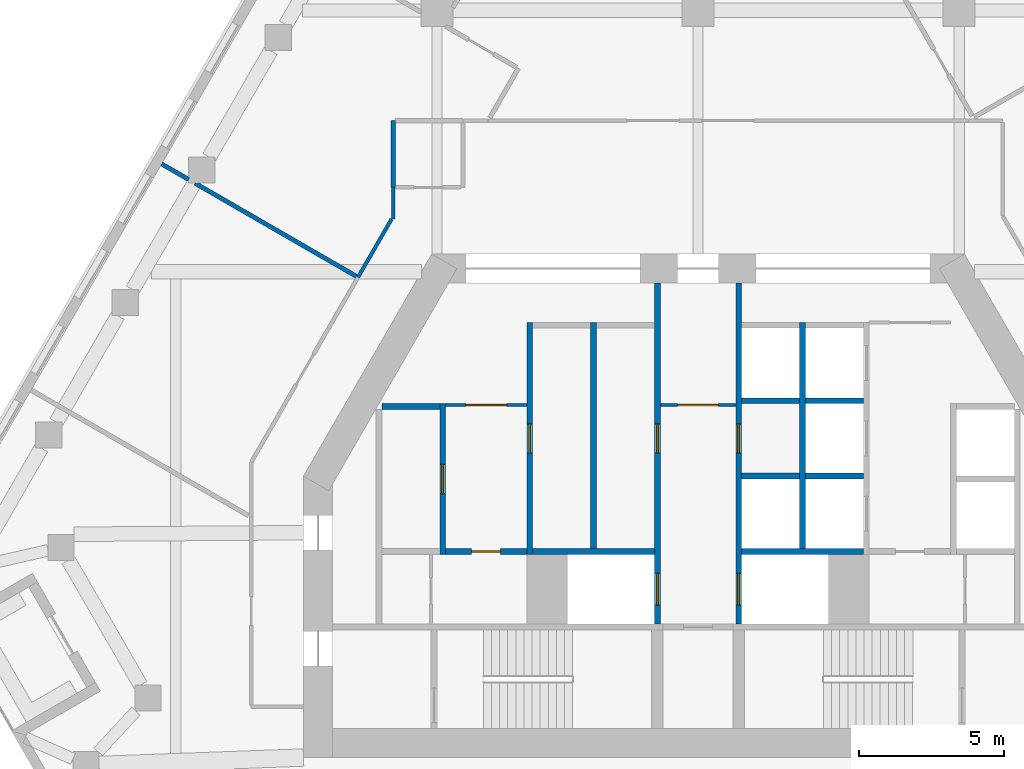
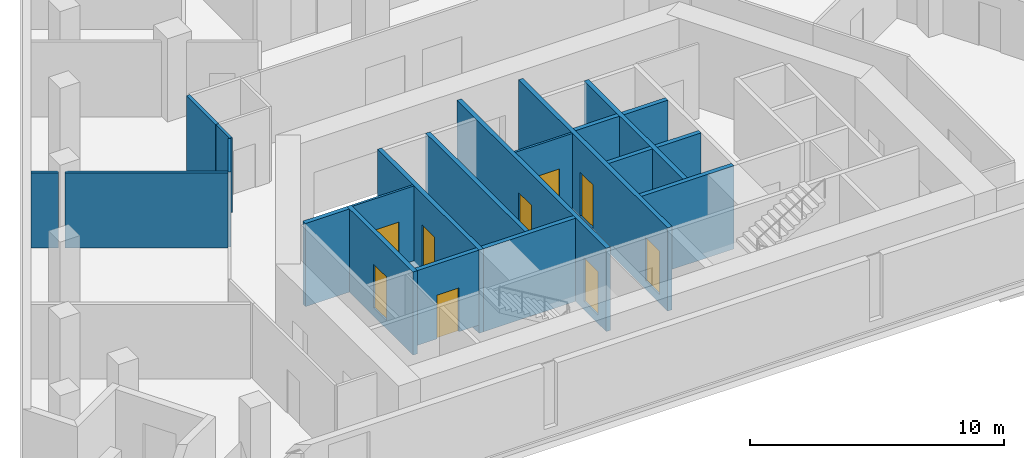
# One storey, part 3 of 8: 21 walls, 9 doors, 9 openings.
"""IFC4 building model written with IfcOpenShell, lengths in metres."""

from ifc_helpers import new_model, si_unit, direction, frame, frame_2d, origin, place, context, subcontext, project, spatial, rectangle, extrude, material, layer, layer_set, type_object, element, fill, save


model = new_model("IFC4")

# Units and contexts
model_context = context("Model", 3, precision=1e-05, world=origin(), true_north=direction((0.0, 1.0)))
body_context = subcontext(model_context, "Body", "Model", "MODEL_VIEW")
ifc_project = project(units=[si_unit("LENGTHUNIT", "METRE"), si_unit("AREAUNIT", "SQUARE_METRE"), si_unit("VOLUMEUNIT", "CUBIC_METRE"), si_unit("PLANEANGLEUNIT", "RADIAN"), si_unit("MASSUNIT", "GRAM", prefix="KILO")], contexts=[model_context])

# Site, building, storey
site_placement = place(None, origin())
site = spatial("IfcSite", under=ifc_project, at=site_placement, CompositionType="ELEMENT")
building_placement = place(site_placement, origin())
building = spatial("IfcBuilding", under=site, at=building_placement, Name="Fogline Exchange Tower", CompositionType="ELEMENT")
storey_placement = place(building_placement, frame((0.0, 0.0, 227.5)))
storey = spatial("IfcBuildingStorey", under=building, at=storey_placement, Name="L51", CompositionType="ELEMENT", Elevation=227.5)

# Wall, opening, door
ifc_material_1 = material(Name="Blockwork partition", Category="masonry")
ifc_layer_1 = layer(ifc_material_1, 0.10009765625)
ifc_layer_set_1 = layer_set([ifc_layer_1], Name="CW10")
wall_type_1 = type_object("IfcWallType", Name="CW10", PredefinedType="PARTITIONING", material=ifc_layer_set_1)
wall_1_placement = place(storey_placement, frame((-8.699951171875, 13.39990234375, 0.0), z_axis=(0.0, 0.0, 1.0), x_axis=(1.0, 0.0, 0.0)))
wall_1 = element("IfcWall", 1, at=wall_1_placement, inside=storey, type_object=wall_type_1, Name="Lift lobby partition", PredefinedType="PARTITIONING", context=body_context, shape_type="SweptSolid", body=[
    extrude(rectangle(XDim=2.800048828125, YDim=0.10009765625, at=frame_2d((1.39990234375, 0.0))), origin(), (0.0, 0.0, 1.0), 3.60009765625),
])
opening_1_placement = place(wall_1_placement, frame((0.699951171875, 0.0, 0.0)))
opening_1 = element("IfcOpeningElement", 2, at=opening_1_placement, cuts=wall_1, Name="Opening T16-C006", PredefinedType="OPENING", context=body_context, shape_type="SweptSolid", body=[
    extrude(rectangle(XDim=1.39990234375, YDim=2.10009765625, at=frame_2d((0.699951171875, 1.050048828125))), frame((0.0, 0.06005859375, 0.0), z_axis=(0.0, -1.0, 0.0), x_axis=(1.0, 0.0, 0.0)), (0.0, 0.0, 1.0), 0.1201171875),
])
ifc_material_2 = material(Name="Steel and timber fire door", Category="steel")
door_type_1 = type_object("IfcDoorType", Name="D-LB1", OperationType="DOUBLE_DOOR_SINGLE_SWING", PredefinedType="DOOR", material=ifc_material_2)
door_1_placement = place(opening_1_placement, frame((1.39990234375, 0.0, 0.0), z_axis=(0.0, 0.0, 1.0), x_axis=(-1.0, 0.0, 0.0)))
door_1 = element("IfcDoor", 3, at=door_1_placement, inside=storey, type_object=door_type_1, Name="Door to lift lobby", OperationType="DOUBLE_DOOR_SINGLE_SWING", OverallHeight=2.10009765625, OverallWidth=1.39990234375, PredefinedType="DOOR", context=body_context, shape_type="SweptSolid", body=[
    extrude(rectangle(XDim=1.39990234375, YDim=2.10009765625, at=frame_2d((0.699951171875, 1.050048828125))), frame((0.0, 0.02490234375, 0.0), z_axis=(0.0, -1.0, 0.0), x_axis=(1.0, 0.0, 0.0)), (0.0, 0.0, 1.0), 0.050048828125),
])
fill(opening_1, door_1)

wall_2_placement = place(storey_placement, frame((-1.300048828125, 13.39990234375, 0.0), z_axis=(0.0, 0.0, 1.0), x_axis=(1.0, 0.0, 0.0)))
wall_2 = element("IfcWall", 4, at=wall_2_placement, inside=storey, type_object=wall_type_1, Name="Lift lobby partition", PredefinedType="PARTITIONING", context=body_context, shape_type="SweptSolid", body=[
    extrude(rectangle(XDim=2.60009765625, YDim=0.10009765625, at=frame_2d((1.300048828125, 0.0))), origin(), (0.0, 0.0, 1.0), 3.60009765625),
])
opening_2_placement = place(wall_2_placement, frame((0.60009765625, 0.0, 0.0)))
opening_2 = element("IfcOpeningElement", 5, at=opening_2_placement, cuts=wall_2, Name="Opening T16-C018", PredefinedType="OPENING", context=body_context, shape_type="SweptSolid", body=[
    extrude(rectangle(XDim=1.39990234375, YDim=2.10009765625, at=frame_2d((0.699951171875, 1.050048828125))), frame((0.0, 0.06005859375, 0.0), z_axis=(0.0, -1.0, 0.0), x_axis=(1.0, 0.0, 0.0)), (0.0, 0.0, 1.0), 0.1201171875),
])
door_2_placement = place(opening_2_placement, origin())
door_2 = element("IfcDoor", 6, at=door_2_placement, inside=storey, type_object=door_type_1, Name="Door to firefighting lift lobby", OperationType="DOUBLE_DOOR_SINGLE_SWING", OverallHeight=2.10009765625, OverallWidth=1.39990234375, PredefinedType="DOOR", context=body_context, shape_type="SweptSolid", body=[
    extrude(rectangle(XDim=1.39990234375, YDim=2.10009765625, at=frame_2d((0.699951171875, 1.050048828125))), frame((0.0, 0.02490234375, 0.0), z_axis=(0.0, -1.0, 0.0), x_axis=(1.0, 0.0, 0.0)), (0.0, 0.0, 1.0), 0.050048828125),
])
fill(opening_2, door_2)

ifc_material_3 = material(Name="Concrete C40", Category="concrete")
ifc_layer_2 = layer(ifc_material_3, 0.199951171875)
ifc_layer_set_2 = layer_set([ifc_layer_2], Name="CW20")
wall_type_2 = type_object("IfcWallType", Name="CW20", PredefinedType="SOLIDWALL", material=ifc_layer_set_2)
wall_3_placement = place(storey_placement, frame((-8.699951171875, 8.35009765625, 0.0), z_axis=(0.0, 0.0, 1.0), x_axis=(1.0, 0.0, 0.0)))
wall_3 = element("IfcWall", 7, at=wall_3_placement, inside=storey, type_object=wall_type_2, Name="WC wall", PredefinedType="SOLIDWALL", context=body_context, shape_type="SweptSolid", body=[
    extrude(rectangle(XDim=2.800048828125, YDim=0.199951171875, at=frame_2d((1.39990234375, 0.0))), origin(), (0.0, 0.0, 1.0), 3.60009765625),
])
opening_3_placement = place(wall_3_placement, frame((0.89990234375, 0.0, 0.0)))
opening_3 = element("IfcOpeningElement", 8, at=opening_3_placement, cuts=wall_3, Name="Opening T16-C007", PredefinedType="OPENING", context=body_context, shape_type="SweptSolid", body=[
    extrude(rectangle(XDim=1.0, YDim=2.10009765625, at=frame_2d((0.5, 1.050048828125))), frame((0.0, 0.10986328125, 0.0), z_axis=(0.0, -1.0, 0.0), x_axis=(1.0, 0.0, 0.0)), (0.0, 0.0, 1.0), 0.219970703125),
])
door_type_2 = type_object("IfcDoorType", Name="D-WC1", OperationType="SINGLE_SWING_LEFT", PredefinedType="DOOR", material=ifc_material_2)
door_3_placement = place(opening_3_placement, frame((1.0, 0.0, 0.0), z_axis=(0.0, 0.0, 1.0), x_axis=(-1.0, 0.0, 0.0)))
door_3 = element("IfcDoor", 9, at=door_3_placement, inside=storey, type_object=door_type_2, Name="Door to Men's WC", OperationType="SINGLE_SWING_LEFT", OverallHeight=2.10009765625, OverallWidth=1.0, PredefinedType="DOOR", context=body_context, shape_type="SweptSolid", body=[
    extrude(rectangle(XDim=1.0, YDim=2.10009765625, at=frame_2d((0.5, 1.050048828125))), frame((0.0, 0.02490234375, 0.0), z_axis=(0.0, -1.0, 0.0), x_axis=(1.0, 0.0, 0.0)), (0.0, 0.0, 1.0), 0.050048828125),
])
fill(opening_3, door_3)

ifc_layer_3 = layer(ifc_material_3, 0.199951171875)
ifc_layer_set_3 = layer_set([ifc_layer_3], Name="CW20S")
wall_type_3 = type_object("IfcWallType", Name="CW20S", PredefinedType="SOLIDWALL", material=ifc_layer_set_3)
wall_4_placement = place(storey_placement, frame((-8.800048828125, 8.25, -0.39990234375), z_axis=(0.0, 0.0, 1.0), x_axis=(0.0, 1.0, 0.0)))
wall_4 = element("IfcWall", 10, at=wall_4_placement, inside=storey, type_object=wall_type_3, Name="Lift shaft wall", PredefinedType="SOLIDWALL", context=body_context, shape_type="SweptSolid", body=[
    extrude(rectangle(XDim=5.199951171875, YDim=0.199951171875, at=frame_2d((2.60009765625, 0.0))), origin(), (0.0, 0.0, 1.0), 4.0),
])
opening_4_placement = place(wall_4_placement, frame((2.10009765625, 0.0, 0.39990234375)))
opening_4 = element("IfcOpeningElement", 11, at=opening_4_placement, cuts=wall_4, Name="Opening T16-C001", PredefinedType="OPENING", context=body_context, shape_type="SweptSolid", body=[
    extrude(rectangle(XDim=1.0, YDim=2.10009765625, at=frame_2d((0.5, 1.050048828125))), frame((0.0, 0.10986328125, 0.0), z_axis=(0.0, -1.0, 0.0), x_axis=(1.0, 0.0, 0.0)), (0.0, 0.0, 1.0), 0.219970703125),
])
door_type_3 = type_object("IfcDoorType", Name="D-RM1", OperationType="SINGLE_SWING_LEFT", PredefinedType="DOOR", material=ifc_material_2)
door_4_placement = place(opening_4_placement, origin())
door_4 = element("IfcDoor", 12, at=door_4_placement, inside=storey, type_object=door_type_3, Name="Door to Records Room", OperationType="SINGLE_SWING_RIGHT", OverallHeight=2.10009765625, OverallWidth=1.0, PredefinedType="DOOR", context=body_context, shape_type="SweptSolid", body=[
    extrude(rectangle(XDim=1.0, YDim=2.10009765625, at=frame_2d((0.5, 1.050048828125))), frame((0.0, 0.02490234375, 0.0), z_axis=(0.0, -1.0, 0.0), x_axis=(1.0, 0.0, 0.0)), (0.0, 0.0, 1.0), 0.050048828125),
])
fill(opening_4, door_4)

wall_5_placement = place(storey_placement, frame((-5.800048828125, 8.25, -0.39990234375), z_axis=(0.0, 0.0, 1.0), x_axis=(0.0, 1.0, 0.0)))
wall_5 = element("IfcWall", 13, at=wall_5_placement, inside=storey, type_object=wall_type_3, Name="Lift shaft wall", PredefinedType="SOLIDWALL", context=body_context, shape_type="SweptSolid", body=[
    extrude(rectangle(XDim=8.0, YDim=0.199951171875, at=frame_2d((4.0, 0.0))), origin(), (0.0, 0.0, 1.0), 4.0),
])
opening_5_placement = place(wall_5_placement, frame((3.5, 0.0, 0.39990234375)))
opening_5 = element("IfcOpeningElement", 14, at=opening_5_placement, cuts=wall_5, Name="Opening T16-C002", PredefinedType="OPENING", context=body_context, shape_type="SweptSolid", body=[
    extrude(rectangle(XDim=1.0, YDim=2.10009765625, at=frame_2d((0.5, 1.050048828125))), frame((0.0, 0.10986328125, 0.0), z_axis=(0.0, -1.0, 0.0), x_axis=(1.0, 0.0, 0.0)), (0.0, 0.0, 1.0), 0.219970703125),
])
door_5_placement = place(opening_5_placement, frame((1.0, 0.0, 0.0), z_axis=(0.0, 0.0, 1.0), x_axis=(-1.0, 0.0, 0.0)))
door_5 = element("IfcDoor", 15, at=door_5_placement, inside=storey, type_object=door_type_3, Name="Door to Service Hall", OperationType="SINGLE_SWING_RIGHT", OverallHeight=2.10009765625, OverallWidth=1.0, PredefinedType="DOOR", context=body_context, shape_type="SweptSolid", body=[
    extrude(rectangle(XDim=1.0, YDim=2.10009765625, at=frame_2d((0.5, 1.050048828125))), frame((0.0, 0.02490234375, 0.0), z_axis=(0.0, -1.0, 0.0), x_axis=(1.0, 0.0, 0.0)), (0.0, 0.0, 1.0), 0.050048828125),
])
fill(opening_5, door_5)

# Walls
for number, where, z_axis, x_axis, name in (
    (16, (-3.60009765625, 8.449951171875, -0.39990234375), (0.0, 0.0, 1.0), (0.0, 1.0, 0.0), "Lift shaft wall"),
    (17, (3.60009765625, 8.449951171875, -0.39990234375), (0.0, 0.0, 1.0), (0.0, 1.0, 0.0), "Lift shaft wall"),
):
    element("IfcWall", number, at=place(storey_placement, frame(where, z_axis=z_axis, x_axis=x_axis)), inside=storey, type_object=wall_type_3, Name=name, PredefinedType="SOLIDWALL", context=body_context, shape_type="SweptSolid", body=[
        extrude(rectangle(XDim=7.800048828125, YDim=0.199951171875, at=frame_2d((3.89990234375, 0.0))), origin(), (0.0, 0.0, 1.0), 4.0),
    ])

# Wall, openings, doors
wall_6_placement = place(storey_placement, frame((-1.39990234375, 5.85009765625, -0.39990234375), z_axis=(0.0, 0.0, 1.0), x_axis=(0.0, 1.0, 0.0)))
wall_6 = element("IfcWall", 18, at=wall_6_placement, inside=storey, type_object=wall_type_3, Name="Lift lobby wall", PredefinedType="SOLIDWALL", context=body_context, shape_type="SweptSolid", body=[
    extrude(rectangle(XDim=11.75, YDim=0.199951171875, at=frame_2d((5.875, 0.0))), origin(), (0.0, 0.0, 1.0), 4.0),
])
opening_6_placement = place(wall_6_placement, frame((0.64990234375, 0.0, 0.39990234375)))
opening_6 = element("IfcOpeningElement", 19, at=opening_6_placement, cuts=wall_6, Name="Opening T16-LD01", PredefinedType="OPENING", context=body_context, shape_type="SweptSolid", body=[
    extrude(rectangle(XDim=1.10009765625, YDim=2.10009765625, at=frame_2d((0.550048828125, 1.050048828125))), frame((0.0, 0.10986328125, 0.0), z_axis=(0.0, -1.0, 0.0), x_axis=(1.0, 0.0, 0.0)), (0.0, 0.0, 1.0), 0.219970703125),
])
opening_7_placement = place(wall_6_placement, frame((5.89990234375, 0.0, 0.39990234375)))
opening_7 = element("IfcOpeningElement", 20, at=opening_7_placement, cuts=wall_6, Name="Opening T16-C003", PredefinedType="OPENING", context=body_context, shape_type="SweptSolid", body=[
    extrude(rectangle(XDim=1.0, YDim=2.10009765625, at=frame_2d((0.5, 1.050048828125))), frame((0.0, 0.10986328125, 0.0), z_axis=(0.0, -1.0, 0.0), x_axis=(1.0, 0.0, 0.0)), (0.0, 0.0, 1.0), 0.219970703125),
])
door_6_placement = place(opening_7_placement, origin())
door_6 = element("IfcDoor", 21, at=door_6_placement, inside=storey, type_object=door_type_3, Name="Door to Records Hall", OperationType="SINGLE_SWING_LEFT", OverallHeight=2.10009765625, OverallWidth=1.0, PredefinedType="DOOR", context=body_context, shape_type="SweptSolid", body=[
    extrude(rectangle(XDim=1.0, YDim=2.10009765625, at=frame_2d((0.5, 1.050048828125))), frame((0.0, 0.02490234375, 0.0), z_axis=(0.0, -1.0, 0.0), x_axis=(1.0, 0.0, 0.0)), (0.0, 0.0, 1.0), 0.050048828125),
])
fill(opening_7, door_6)
door_type_4 = type_object("IfcDoorType", Name="LD2", OperationType="SLIDING_TO_RIGHT", PredefinedType="DOOR", material=ifc_material_2)
door_7_placement = place(opening_6_placement, origin())
door_7 = element("IfcDoor", 22, at=door_7_placement, inside=storey, type_object=door_type_4, Name="Landing door FF1", OperationType="SLIDING_TO_RIGHT", OverallHeight=2.10009765625, OverallWidth=1.10009765625, PredefinedType="DOOR", context=body_context, shape_type="SweptSolid", body=[
    extrude(rectangle(XDim=1.10009765625, YDim=2.10009765625, at=frame_2d((0.550048828125, 1.050048828125))), frame((0.0, 0.02490234375, 0.0), z_axis=(0.0, -1.0, 0.0), x_axis=(1.0, 0.0, 0.0)), (0.0, 0.0, 1.0), 0.050048828125),
])
fill(opening_6, door_7)

wall_7_placement = place(storey_placement, frame((1.39990234375, 5.85009765625, -0.39990234375), z_axis=(0.0, 0.0, 1.0), x_axis=(0.0, 1.0, 0.0)))
wall_7 = element("IfcWall", 23, at=wall_7_placement, inside=storey, type_object=wall_type_3, Name="Lift lobby wall", PredefinedType="SOLIDWALL", context=body_context, shape_type="SweptSolid", body=[
    extrude(rectangle(XDim=11.75, YDim=0.199951171875, at=frame_2d((5.875, 0.0))), origin(), (0.0, 0.0, 1.0), 4.0),
])
opening_8_placement = place(wall_7_placement, frame((0.64990234375, 0.0, 0.39990234375)))
opening_8 = element("IfcOpeningElement", 24, at=opening_8_placement, cuts=wall_7, Name="Opening T16-LD05", PredefinedType="OPENING", context=body_context, shape_type="SweptSolid", body=[
    extrude(rectangle(XDim=1.10009765625, YDim=2.10009765625, at=frame_2d((0.550048828125, 1.050048828125))), frame((0.0, 0.10986328125, 0.0), z_axis=(0.0, -1.0, 0.0), x_axis=(1.0, 0.0, 0.0)), (0.0, 0.0, 1.0), 0.219970703125),
])
opening_9_placement = place(wall_7_placement, frame((5.89990234375, 0.0, 0.39990234375)))
opening_9 = element("IfcOpeningElement", 25, at=opening_9_placement, cuts=wall_7, Name="Opening T16-C004", PredefinedType="OPENING", context=body_context, shape_type="SweptSolid", body=[
    extrude(rectangle(XDim=1.0, YDim=2.10009765625, at=frame_2d((0.5, 1.050048828125))), frame((0.0, 0.10986328125, 0.0), z_axis=(0.0, -1.0, 0.0), x_axis=(1.0, 0.0, 0.0)), (0.0, 0.0, 1.0), 0.219970703125),
])
door_8_placement = place(opening_9_placement, frame((1.0, 0.0, 0.0), z_axis=(0.0, 0.0, 1.0), x_axis=(-1.0, 0.0, 0.0)))
door_8 = element("IfcDoor", 26, at=door_8_placement, inside=storey, type_object=door_type_3, Name="Door to Plant Room", OperationType="SINGLE_SWING_RIGHT", OverallHeight=2.10009765625, OverallWidth=1.0, PredefinedType="DOOR", context=body_context, shape_type="SweptSolid", body=[
    extrude(rectangle(XDim=1.0, YDim=2.10009765625, at=frame_2d((0.5, 1.050048828125))), frame((0.0, 0.02490234375, 0.0), z_axis=(0.0, -1.0, 0.0), x_axis=(1.0, 0.0, 0.0)), (0.0, 0.0, 1.0), 0.050048828125),
])
fill(opening_9, door_8)
door_9_placement = place(opening_8_placement, origin())
door_9 = element("IfcDoor", 27, at=door_9_placement, inside=storey, type_object=door_type_4, Name="Landing door FF2", OperationType="SLIDING_TO_RIGHT", OverallHeight=2.10009765625, OverallWidth=1.10009765625, PredefinedType="DOOR", context=body_context, shape_type="SweptSolid", body=[
    extrude(rectangle(XDim=1.10009765625, YDim=2.10009765625, at=frame_2d((0.550048828125, 1.050048828125))), frame((0.0, 0.02490234375, 0.0), z_axis=(0.0, -1.0, 0.0), x_axis=(1.0, 0.0, 0.0)), (0.0, 0.0, 1.0), 0.050048828125),
])
fill(opening_8, door_9)

# Walls
for number, where, z_axis, x_axis, name in (
    (28, (-5.699951171875, 8.35009765625, -0.39990234375), (0.0, 0.0, 1.0), (1.0, 0.0, 0.0), "Lift shaft wall"),
    (29, (1.5, 8.35009765625, -0.39990234375), (0.0, 0.0, 1.0), (1.0, 0.0, 0.0), "Lift shaft wall"),
):
    element("IfcWall", number, at=place(storey_placement, frame(where, z_axis=z_axis, x_axis=x_axis)), inside=storey, type_object=wall_type_3, Name=name, PredefinedType="SOLIDWALL", context=body_context, shape_type="SweptSolid", body=[
        extrude(rectangle(XDim=4.199951171875, YDim=0.199951171875, at=frame_2d((2.10009765625, 0.0))), origin(), (0.0, 0.0, 1.0), 4.0),
    ])
for number, where, z_axis, x_axis, name in (
    (30, (-10.89990234375, 13.35009765625, -0.39990234375), (0.0, 0.0, 1.0), (1.0, 0.0, 0.0), "Lift shaft wall"),
    (31, (3.699951171875, 10.949951171875, -0.39990234375), (0.0, 0.0, 1.0), (1.0, 0.0, 0.0), "Lift shaft wall"),
    (32, (3.699951171875, 13.550048828125, -0.39990234375), (0.0, 0.0, 1.0), (1.0, 0.0, 0.0), "Lift shaft wall"),
    (33, (1.5, 10.949951171875, -0.39990234375), (0.0, 0.0, 1.0), (1.0, 0.0, 0.0), "Lift shaft wall"),
    (34, (1.5, 13.550048828125, -0.39990234375), (0.0, 0.0, 1.0), (1.0, 0.0, 0.0), "Lift shaft wall"),
):
    element("IfcWall", number, at=place(storey_placement, frame(where, z_axis=z_axis, x_axis=x_axis)), inside=storey, type_object=wall_type_3, Name=name, PredefinedType="SOLIDWALL", context=body_context, shape_type="SweptSolid", body=[
        extrude(rectangle(XDim=2.0, YDim=0.199951171875, at=frame_2d((1.0, 0.0))), origin(), (0.0, 0.0, 1.0), 4.0),
    ])
ifc_material_4 = material(Name="Plasterboard corridor partition with mineral wool, 2 layers each side")
ifc_layer_4 = layer(ifc_material_4, 0.125)
ifc_layer_set_4 = layer_set([ifc_layer_4], Name="PW2")
wall_type_4 = type_object("IfcWallType", Name="PW2", PredefinedType="PARTITIONING", material=ifc_layer_set_4)
wall_8_placement = place(storey_placement, frame((-10.5, 19.80615234375, 0.0), z_axis=(0.0, 0.0, 1.0), x_axis=(0.0, 1.0, 0.0)))
element("IfcWall", 35, at=wall_8_placement, inside=storey, type_object=wall_type_4, Name="wall-L51-W008", PredefinedType="PARTITIONING", context=body_context, shape_type="SweptSolid", body=[
    extrude(rectangle(XDim=1.09375, YDim=0.125, at=frame_2d((0.546875, 0.0))), origin(), (0.0, 0.0, 1.0), 3.60009765625),
])
wall_9_placement = place(storey_placement, frame((-11.719482421875, 17.802490234375, 0.0), z_axis=(0.0, 0.0, 1.0), x_axis=(0.500008624609, 0.866020424307, 0.0)))
element("IfcWall", 36, at=wall_9_placement, inside=storey, type_object=wall_type_4, Name="wall-L51-W012", PredefinedType="PARTITIONING", context=body_context, shape_type="SweptSolid", body=[
    extrude(rectangle(XDim=2.31396484375, YDim=0.125, at=frame_2d((1.156982421875, 0.0))), origin(), (0.0, 0.0, 1.0), 3.60009765625),
])
ifc_material_5 = material(Name="Plasterboard demising partition with mineral wool and acoustic board")
ifc_layer_5 = layer(ifc_material_5, 0.14990234375)
ifc_layer_set_5 = layer_set([ifc_layer_5], Name="PW3")
wall_type_5 = type_object("IfcWallType", Name="PW3", PredefinedType="PARTITIONING", material=ifc_layer_set_5)
wall_10_placement = place(storey_placement, frame((-10.5, 23.199951171875, 0.0), z_axis=(0.0, 0.0, 1.0), x_axis=(0.0, -1.0, 0.0)))
element("IfcWall", 37, at=wall_10_placement, inside=storey, type_object=wall_type_5, Name="wall-L51-W041", PredefinedType="PARTITIONING", context=body_context, shape_type="SweptSolid", body=[
    extrude(rectangle(XDim=2.300048828125, YDim=0.14990234375, at=frame_2d((1.14990234375, 0.0))), origin(), (0.0, 0.0, 1.0), 3.60009765625),
])
wall_11_placement = place(storey_placement, frame((-11.773681640625, 17.833740234375, 0.0), z_axis=(0.0, 0.0, 1.0), x_axis=(-0.866027912795, 0.499995654241, 0.0)))
element("IfcWall", 38, at=wall_11_placement, inside=storey, type_object=wall_type_5, Name="wall-L51-W042", PredefinedType="PARTITIONING", context=body_context, shape_type="SweptSolid", body=[
    extrude(rectangle(XDim=6.42041015625, YDim=0.14990234375, at=frame_2d((3.210205078125, 0.0))), origin(), (0.0, 0.0, 1.0), 3.60009765625),
])
wall_12_placement = place(storey_placement, frame((-17.55517578125, 21.171630859375, 0.0), z_axis=(0.0, 0.0, 1.0), x_axis=(-0.86605716012, 0.499944992379, 0.0)))
element("IfcWall", 39, at=wall_12_placement, inside=storey, type_object=wall_type_5, Name="wall-L51-W043", PredefinedType="PARTITIONING", context=body_context, shape_type="SweptSolid", body=[
    extrude(rectangle(XDim=1.076171875, YDim=0.14990234375, at=frame_2d((0.5380859375, 0.0))), origin(), (0.0, 0.0, 1.0), 3.60009765625),
])

save(model, "model.ifc")
